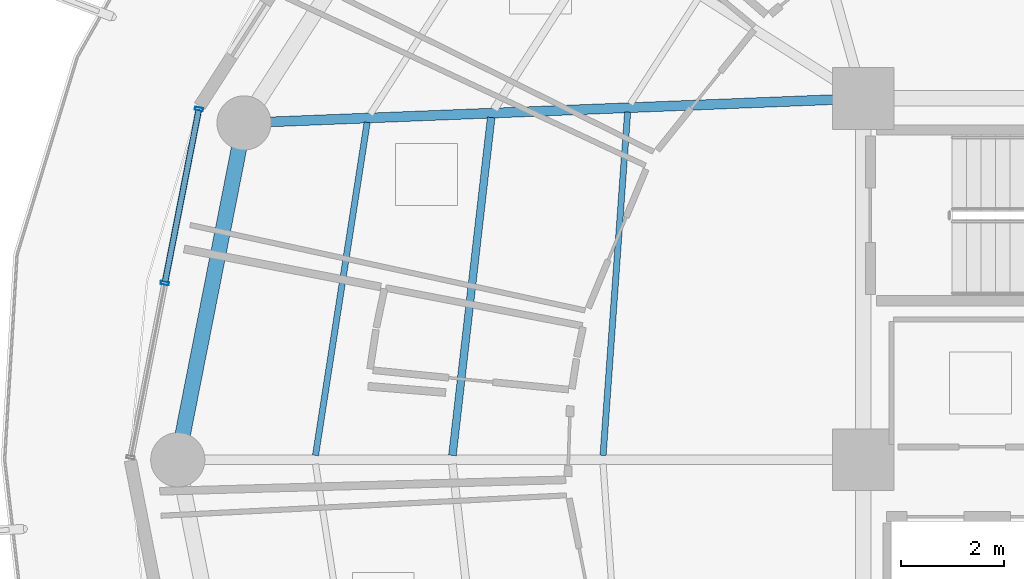
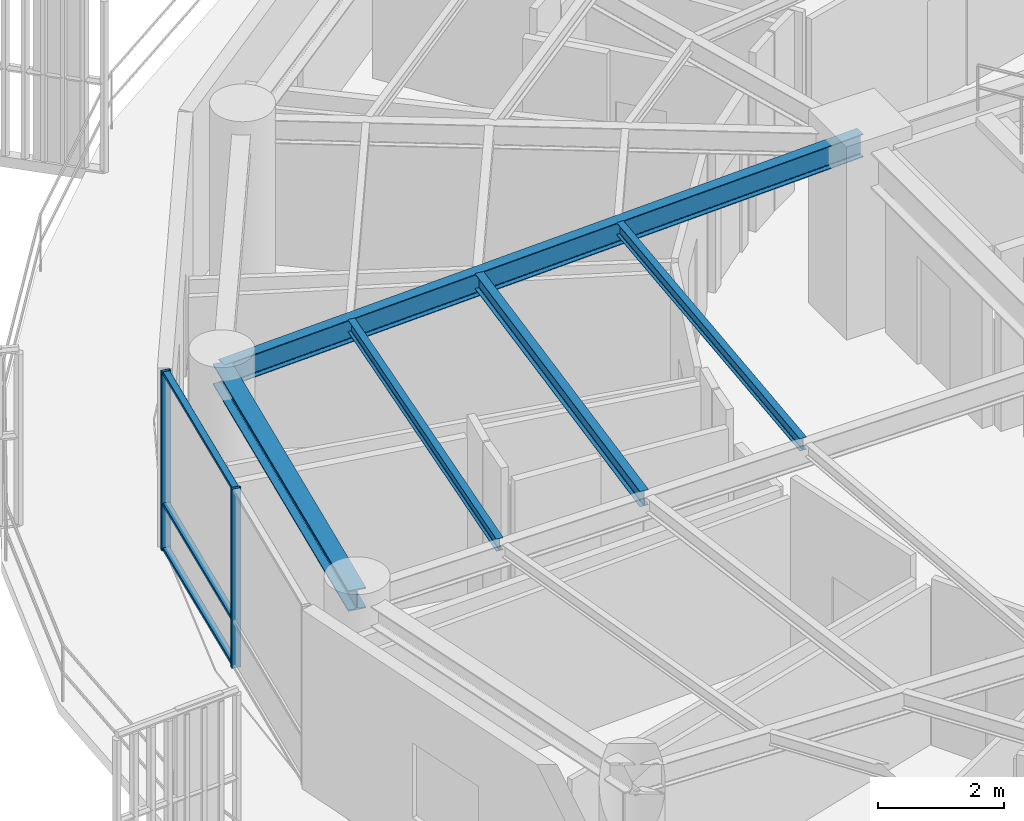
# One storey, part 8 of 31: 5 beams, 5 members, 1 element without a shape of its own.
"""IFC4 building model written with IfcOpenShell, lengths in metres."""

from ifc_helpers import new_model, si_unit, direction, frame, origin, origin_2d, place, context, subcontext, project, spatial, hollow_rectangle, i_section, extrude, material, layer, layer_set, material_profile, profile_set, type_object, element, aggregate, save


model = new_model("IFC4")

# Units and contexts
model_context = context("Model", 3, precision=1e-05, world=origin(), true_north=direction((0.0, 1.0)))
body_context = subcontext(model_context, "Body", "Model", "MODEL_VIEW")
ifc_project = project(units=[si_unit("LENGTHUNIT", "METRE"), si_unit("AREAUNIT", "SQUARE_METRE"), si_unit("VOLUMEUNIT", "CUBIC_METRE"), si_unit("PLANEANGLEUNIT", "RADIAN"), si_unit("MASSUNIT", "GRAM", prefix="KILO")], contexts=[model_context])

# Site, building, storey
site_placement = place(None, origin())
site = spatial("IfcSite", under=ifc_project, at=site_placement, CompositionType="ELEMENT")
building_placement = place(site_placement, origin())
building = spatial("IfcBuilding", under=site, at=building_placement, Name="Kelanora Arch Commons", CompositionType="ELEMENT")
storey_placement = place(building_placement, frame((0.0, 0.0, 196.949951171875)))
storey = spatial("IfcBuildingStorey", under=building, at=storey_placement, Name="L50", CompositionType="ELEMENT", Elevation=196.949951171875)

# Beams
ifc_material_1 = material(Name="Steel S355", Category="steel")
ifc_material_profile_1 = material_profile(ifc_material_1, i_section(OverallWidth=0.14990234375, OverallDepth=0.300048828125, WebThickness=0.007080078125, FlangeThickness=0.0107421875, FilletRadius=0.014892578125, at=origin_2d()), Name="IPE300")
ifc_profile_set_1 = profile_set([ifc_material_profile_1], Name="Steel S355")
beam_type_1 = type_object("IfcBeamType", Name="BM-JST-01", PredefinedType="JOIST", material=ifc_profile_set_1)
beam_1_placement = place(storey_placement, frame((58.792236328125, 64.631103515625, 3.340087890625), z_axis=(-0.113891408177, -0.993493204377, 0.0), x_axis=(0.993493204377, -0.113891408177, 0.0)))
element("IfcBeam", 1, at=beam_1_placement, inside=storey, type_object=beam_type_1, Name="Secondary Chord Joist BJB-16 L50", PredefinedType="JOIST", context=body_context, shape_type="SweptSolid", body=[
    extrude(i_section(OverallWidth=0.14990234375, OverallDepth=0.300048828125, WebThickness=0.007080078125, FlangeThickness=0.0107421875, FilletRadius=0.014892578125, at=origin_2d()), origin(), (0.0, 0.0, 1.0), 6.589599609375),
])
ifc_material_profile_2 = material_profile(ifc_material_1, i_section(OverallWidth=0.1201171875, OverallDepth=0.239990234375, WebThickness=0.006103515625, FlangeThickness=0.009765625, FilletRadius=0.014892578125, at=origin_2d()), Name="IPE240")
ifc_profile_set_2 = profile_set([ifc_material_profile_2], Name="Steel S355")
beam_type_2 = type_object("IfcBeamType", Name="BM-JST-02", PredefinedType="JOIST", material=ifc_profile_set_2)
beam_2_placement = place(storey_placement, frame((61.435302734375, 64.735107421875, 3.3701171875), z_axis=(-0.07133032136, -0.997452748382, 0.0), x_axis=(0.997452748382, -0.07133032136, 0.0)))
element("IfcBeam", 2, at=beam_2_placement, inside=storey, type_object=beam_type_2, Name="Secondary Chord Joist BJA-16 L50", PredefinedType="JOIST", context=body_context, shape_type="SweptSolid", body=[
    extrude(i_section(OverallWidth=0.1201171875, OverallDepth=0.239990234375, WebThickness=0.006103515625, FlangeThickness=0.009765625, FilletRadius=0.014892578125, at=origin_2d()), origin(), (0.0, 0.0, 1.0), 6.66748046875),
])
beam_3_placement = place(storey_placement, frame((56.3896484375, 64.53662109375, 3.3701171875), z_axis=(-0.153256756152, -0.988186402808, 0.0), x_axis=(0.988186402808, -0.153256756152, 0.0)))
element("IfcBeam", 3, at=beam_3_placement, inside=storey, type_object=beam_type_2, Name="Secondary Chord Joist BJC-16 L50", PredefinedType="JOIST", context=body_context, shape_type="SweptSolid", body=[
    extrude(i_section(OverallWidth=0.1201171875, OverallDepth=0.239990234375, WebThickness=0.006103515625, FlangeThickness=0.009765625, FilletRadius=0.014892578125, at=origin_2d()), origin(), (0.0, 0.0, 1.0), 6.52978515625),
])
ifc_material_profile_3 = material_profile(ifc_material_1, i_section(OverallWidth=0.18994140625, OverallDepth=0.449951171875, WebThickness=0.009521484375, FlangeThickness=0.0146484375, FilletRadius=0.02099609375, at=origin_2d()), Name="IPE450")
ifc_profile_set_3 = profile_set([ifc_material_profile_3], Name="Steel S355")
beam_type_3 = type_object("IfcBeamType", Name="BM-RAD-Z4", PredefinedType="BEAM", material=ifc_profile_set_3)
beam_4_placement = place(storey_placement, frame((66.0, 65.0, 3.26513671875), z_axis=(-0.999219142585, -0.03951082246, 0.0), x_axis=(0.03951082246, -0.999219142585, 0.0)))
element("IfcBeam", 4, at=beam_4_placement, inside=storey, type_object=beam_type_3, Name="Radial Floor Girder BR-16 L50", PredefinedType="BEAM", context=body_context, shape_type="SweptSolid", body=[
    extrude(i_section(OverallWidth=0.18994140625, OverallDepth=0.449951171875, WebThickness=0.009521484375, FlangeThickness=0.0146484375, FilletRadius=0.02099609375, at=origin_2d()), origin(), (0.0, 0.0, 1.0), 12.005859375),
])
ifc_material_profile_4 = material_profile(ifc_material_1, i_section(OverallWidth=0.300048828125, OverallDepth=0.39990234375, WebThickness=0.013427734375, FlangeThickness=0.02392578125, FilletRadius=0.027099609375, at=origin_2d()), Name="HEB400")
ifc_profile_set_4 = profile_set([ifc_material_profile_4], Name="Steel S355")
beam_type_4 = type_object("IfcBeamType", Name="BM-SPN-Z4", PredefinedType="SPANDREL", material=ifc_profile_set_4)
beam_5_placement = place(storey_placement, frame((54.00341796875, 64.525634765625, 3.2900390625), z_axis=(-0.192980724826, -0.981202547819, 0.0), x_axis=(0.981202547819, -0.192980724826, 0.0)))
element("IfcBeam", 5, at=beam_5_placement, inside=storey, type_object=beam_type_4, Name="Perimeter Spandrel Beam BS-16 L50", PredefinedType="SPANDREL", context=body_context, shape_type="SweptSolid", body=[
    extrude(i_section(OverallWidth=0.300048828125, OverallDepth=0.39990234375, WebThickness=0.013427734375, FlangeThickness=0.02392578125, FilletRadius=0.027099609375, at=origin_2d()), origin(), (0.0, 0.0, 1.0), 6.650634765625),
])

# Curtain wall, members
ifc_material_2 = material(Name="Terracotta ceramic-fritted low-E glass and aluminium", Category="masonry")
ifc_layer = layer(ifc_material_2, 0.175048828125)
ifc_layer_set = layer_set([ifc_layer], Name="Terracotta ceramic-fritted low-E glass and aluminium")
curtain_wall_type = type_object("IfcCurtainWallType", Name="CW-SYS-02", PredefinedType="NOTDEFINED", material=ifc_layer_set)
curtain_wall_placement = place(storey_placement, origin())
curtain_wall = element("IfcCurtainWall", 6, at=curtain_wall_placement, inside=storey, type_object=curtain_wall_type, Name="Unitised Curtain Wall L50-B08", PredefinedType="NOTDEFINED")
ifc_material_3 = material(Name="Powder-coated aluminium terracotta", Category="masonry")
ifc_material_profile_5 = material_profile(ifc_material_3, hollow_rectangle(XDim=0.159912109375, YDim=0.06005859375, WallThickness=0.0048828125, InnerFilletRadius=0.0048828125, OuterFilletRadius=0.010009765625, at=origin_2d()), Name="CWM160x60")
ifc_profile_set_5 = profile_set([ifc_material_profile_5], Name="Powder-coated aluminium terracotta")
member_type_1 = type_object("IfcMemberType", Name="CWM-STD", PredefinedType="MULLION", material=ifc_profile_set_5)
member_1_placement = place(storey_placement, frame((53.130126953125, 64.796142578125, 0.0), z_axis=(0.0, 0.0, 1.0), x_axis=(0.981381438349, -0.192068926335, 0.0)))
member_1 = element("IfcMember", 7, at=member_1_placement, type_object=member_type_1, Name="CW-02 mullion 1", PredefinedType="MULLION", context=body_context, shape_type="SweptSolid", body=[
    extrude(hollow_rectangle(XDim=0.159912109375, YDim=0.06005859375, WallThickness=0.0048828125, InnerFilletRadius=0.0048828125, OuterFilletRadius=0.010009765625, at=origin_2d()), origin(), (0.0, 0.0, 1.0), 3.47509765625),
])
member_2_placement = place(storey_placement, frame((52.469482421875, 61.420166015625, 0.0), z_axis=(0.0, 0.0, 1.0), x_axis=(0.981381438349, -0.192068926335, 0.0)))
member_2 = element("IfcMember", 8, at=member_2_placement, type_object=member_type_1, Name="CW-02 mullion 2", PredefinedType="MULLION", context=body_context, shape_type="SweptSolid", body=[
    extrude(hollow_rectangle(XDim=0.159912109375, YDim=0.06005859375, WallThickness=0.0048828125, InnerFilletRadius=0.0048828125, OuterFilletRadius=0.010009765625, at=origin_2d()), origin(), (0.0, 0.0, 1.0), 3.47509765625),
])
ifc_material_profile_6 = material_profile(ifc_material_3, hollow_rectangle(XDim=0.1201171875, YDim=0.06005859375, WallThickness=0.0048828125, InnerFilletRadius=0.0048828125, OuterFilletRadius=0.010009765625, at=origin_2d()), Name="CWT120x60")
ifc_profile_set_6 = profile_set([ifc_material_profile_6], Name="Powder-coated aluminium terracotta")
member_type_2 = type_object("IfcMemberType", Name="CWT-STD", PredefinedType="USERDEFINED", material=ifc_profile_set_6)
member_3_placement = place(storey_placement, frame((53.124267578125, 64.766845703125, 0.030029296875), z_axis=(-0.192058488005, -0.981383481207, 0.0), x_axis=(0.981383481207, -0.192058488005, 0.0)))
member_3 = element("IfcMember", 9, at=member_3_placement, type_object=member_type_2, Name="CW-02 transom 1.1", ObjectType="TRANSOM", PredefinedType="USERDEFINED", context=body_context, shape_type="SweptSolid", body=[
    extrude(hollow_rectangle(XDim=0.1201171875, YDim=0.06005859375, WallThickness=0.0048828125, InnerFilletRadius=0.0048828125, OuterFilletRadius=0.010009765625, at=origin_2d()), origin(), (0.0, 0.0, 1.0), 3.380126953125),
])
member_4_placement = place(storey_placement, frame((53.124267578125, 64.766845703125, 0.900146484375), z_axis=(-0.192058488005, -0.981383481207, 0.0), x_axis=(0.981383481207, -0.192058488005, 0.0)))
member_4 = element("IfcMember", 10, at=member_4_placement, type_object=member_type_2, Name="CW-02 transom 1.2", ObjectType="TRANSOM", PredefinedType="USERDEFINED", context=body_context, shape_type="SweptSolid", body=[
    extrude(hollow_rectangle(XDim=0.1201171875, YDim=0.06005859375, WallThickness=0.0048828125, InnerFilletRadius=0.0048828125, OuterFilletRadius=0.010009765625, at=origin_2d()), origin(), (0.0, 0.0, 1.0), 3.380126953125),
])
member_5_placement = place(storey_placement, frame((53.124267578125, 64.766845703125, 3.445068359375), z_axis=(-0.192058488005, -0.981383481207, 0.0), x_axis=(0.981383481207, -0.192058488005, 0.0)))
member_5 = element("IfcMember", 11, at=member_5_placement, type_object=member_type_2, Name="CW-02 transom 1.3", ObjectType="TRANSOM", PredefinedType="USERDEFINED", context=body_context, shape_type="SweptSolid", body=[
    extrude(hollow_rectangle(XDim=0.1201171875, YDim=0.06005859375, WallThickness=0.0048828125, InnerFilletRadius=0.0048828125, OuterFilletRadius=0.010009765625, at=origin_2d()), origin(), (0.0, 0.0, 1.0), 3.380126953125),
])
aggregate(curtain_wall, [member_1, member_2, member_3, member_4, member_5])

save(model, "model.ifc")
